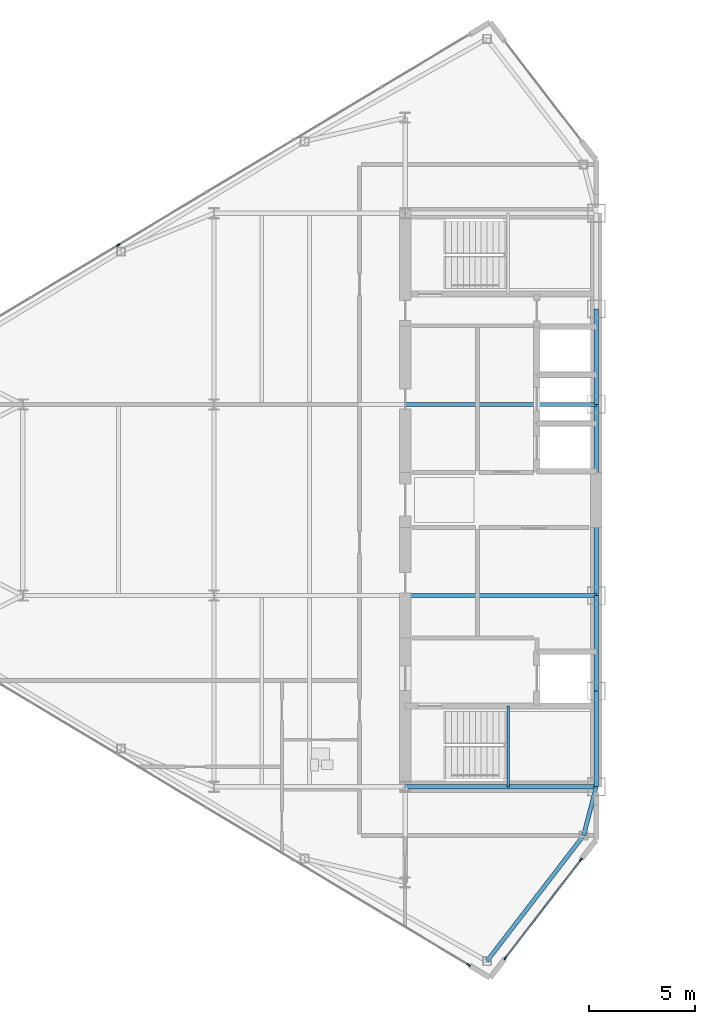
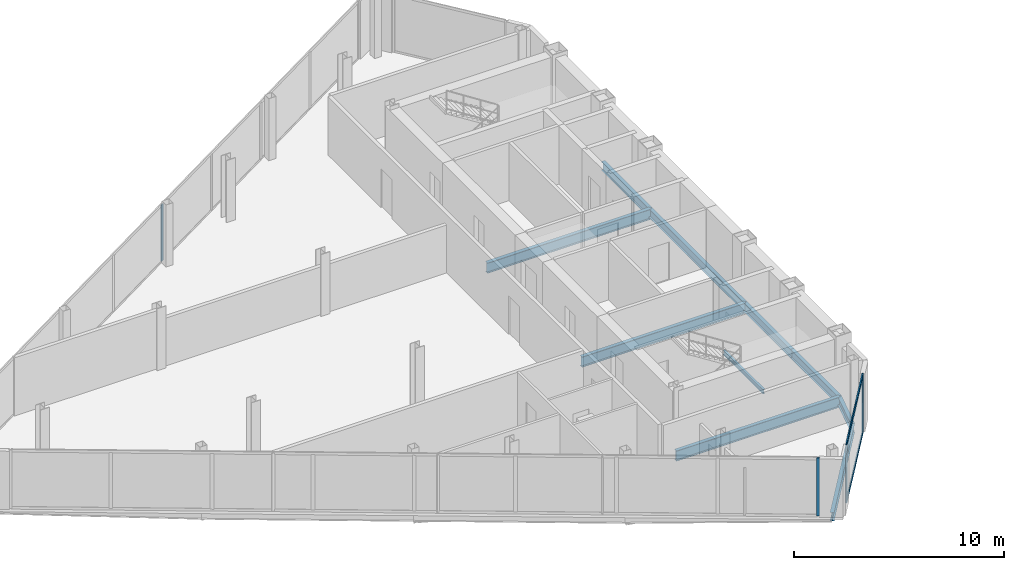
# One storey, part 8 of 25: 10 beams, 6 members, 3 elements without a shape of their own.
"""IFC4 building model written with IfcOpenShell, lengths in metres."""

from ifc_helpers import new_model, si_unit, direction, frame, origin, origin_2d, place, context, subcontext, project, spatial, rectangle, i_section, extrude, source, transform, mapped, material, layer, layer_set, material_profile, profile_set, type_object, type_shapes, element, aggregate, save


model = new_model("IFC4")

# Units and contexts
model_context = context("Model", 3, precision=1e-05, world=origin(), true_north=direction((0.0, 1.0)))
body_context = subcontext(model_context, "Body", "Model", "MODEL_VIEW")
ifc_project = project(units=[si_unit("LENGTHUNIT", "METRE"), si_unit("AREAUNIT", "SQUARE_METRE"), si_unit("VOLUMEUNIT", "CUBIC_METRE"), si_unit("PLANEANGLEUNIT", "RADIAN"), si_unit("MASSUNIT", "GRAM", prefix="KILO")], contexts=[model_context])

# Site, building, storey
site_placement = place(None, origin())
site = spatial("IfcSite", under=ifc_project, at=site_placement, CompositionType="ELEMENT")
building_placement = place(site_placement, origin())
building = spatial("IfcBuilding", under=site, at=building_placement, Name="Seokmaru Belvedere", CompositionType="ELEMENT")
storey_placement = place(building_placement, frame((0.0, 0.0, 203.10009765625)))
storey = spatial("IfcBuildingStorey", under=building, at=storey_placement, Name="L54", CompositionType="ELEMENT", Elevation=203.10009765625)

# Beams
ifc_material_1 = material(Name="Steel SM355 (355 MPa)", Category="steel")
ifc_material_profile_1 = material_profile(ifc_material_1, i_section(OverallWidth=0.199951171875, OverallDepth=0.5, WebThickness=0.010009765625, FlangeThickness=0.01611328125, at=origin_2d()), Name="H-500x200x10x16")
ifc_profile_set_1 = profile_set([ifc_material_profile_1], Name="Steel SM355 (355 MPa)")
beam_type_1 = type_object("IfcBeamType", Name="Perimeter Spandrel Beam H-500", PredefinedType="SPANDREL", material=ifc_profile_set_1)
shared_shape_1 = source(origin(), body_context, "Body", "SweptSolid", [
    extrude(i_section(OverallWidth=0.199951171875, OverallDepth=0.5, WebThickness=0.010009765625, FlangeThickness=0.01611328125, at=origin_2d()), origin(), (0.0, 0.0, 1.0), 4.5),
])
for number, where, z_axis, x_axis, name in (
    (1, (-27.5, -13.5, -0.47021484375), (0.0, 1.0, 0.0), (-1.0, 0.0, 0.0), "L54 W Portal Spine Spandrel 1"),
    (2, (-27.5, -9.0, -0.47021484375), (0.0, 1.0, 0.0), (-1.0, 0.0, 0.0), "L54 W Portal Spine Spandrel 2"),
    (3, (-27.5, 4.5, -0.47021484375), (0.0, 1.0, 0.0), (-1.0, 0.0, 0.0), "L54 W Portal Spine Spandrel 4"),
):
    element("IfcBeam", number, at=place(storey_placement, frame(where, z_axis=z_axis, x_axis=x_axis)), inside=storey, type_object=beam_type_1, Name=name, PredefinedType="SPANDREL", context=body_context, shape_type="MappedRepresentation", body=[
        mapped(shared_shape_1, transform((0.0, 0.0, 0.0), scale=1.0)),
    ])
shared_shape_2 = source(origin(), body_context, "Body", "SweptSolid", [
    extrude(i_section(OverallWidth=0.199951171875, OverallDepth=0.5, WebThickness=0.010009765625, FlangeThickness=0.01611328125, at=origin_2d()), origin(), (0.0, 0.0, 1.0), 9.0),
])
beam_1_placement = place(storey_placement, frame((-27.5, -4.5, -0.47021484375), z_axis=(0.0, 1.0, 0.0), x_axis=(-1.0, 0.0, 0.0)))
element("IfcBeam", 4, at=beam_1_placement, inside=storey, type_object=beam_type_1, Name="L54 W Portal Spine Spandrel 3", PredefinedType="SPANDREL", context=body_context, shape_type="MappedRepresentation", body=[
    mapped(shared_shape_2, transform((0.0, 0.0, 0.0), scale=1.0)),
])
ifc_material_profile_2 = material_profile(ifc_material_1, i_section(OverallWidth=0.199951171875, OverallDepth=0.60009765625, WebThickness=0.010986328125, FlangeThickness=0.01708984375, at=origin_2d()), Name="H-600x200x11x17")
ifc_profile_set_2 = profile_set([ifc_material_profile_2], Name="Steel SM355 (355 MPa)")
beam_type_2 = type_object("IfcBeamType", Name="Primary Floor Girder H-600", PredefinedType="BEAM", material=ifc_profile_set_2)
shared_shape_3 = source(origin(), body_context, "Body", "SweptSolid", [
    extrude(i_section(OverallWidth=0.199951171875, OverallDepth=0.60009765625, WebThickness=0.010986328125, FlangeThickness=0.01708984375, at=origin_2d()), origin(), (0.0, 0.0, 1.0), 9.0),
])
type_shapes(beam_type_2, [shared_shape_3])
for number, where, z_axis, x_axis, name in (
    (5, (-36.5, -13.5, -0.52001953125), (1.0, 0.0, 0.0), (0.0, 1.0, 0.0), "L54 W Core Tie Girder 1"),
    (6, (-36.5, -4.5, -0.52001953125), (1.0, 0.0, 0.0), (0.0, 1.0, 0.0), "L54 W Core Tie Girder 2"),
    (7, (-36.5, 4.5, -0.52001953125), (1.0, 0.0, 0.0), (0.0, 1.0, 0.0), "L54 W Core Tie Girder 3"),
):
    element("IfcBeam", number, at=place(storey_placement, frame(where, z_axis=z_axis, x_axis=x_axis)), inside=storey, type_object=beam_type_2, Name=name, PredefinedType="BEAM", context=body_context, shape_type="MappedRepresentation", body=[
        mapped(shared_shape_3, transform((0.0, 0.0, 0.0), scale=1.0)),
    ])
shared_shape_4 = source(origin(), body_context, "Body", "SweptSolid", [
    extrude(i_section(OverallWidth=0.199951171875, OverallDepth=0.5, WebThickness=0.010009765625, FlangeThickness=0.01611328125, at=origin_2d()), origin(), (0.0, 0.0, 1.0), 7.4619140625),
])
beam_2_placement = place(storey_placement, frame((-32.649658203125, -21.71044921875, -0.47021484375), z_axis=(0.609702854945, 0.792630070507, 0.0), x_axis=(-0.792630070507, 0.609702854945, 0.0)))
element("IfcBeam", 8, at=beam_2_placement, inside=storey, type_object=beam_type_1, Name="L54 W Shoulder Chamfer Spandrel S", PredefinedType="SPANDREL", context=body_context, shape_type="MappedRepresentation", body=[
    mapped(shared_shape_4, transform((0.0, 0.0, 0.0), scale=1.0)),
])
shared_shape_5 = source(origin(), body_context, "Body", "SweptSolid", [
    extrude(i_section(OverallWidth=0.199951171875, OverallDepth=0.5, WebThickness=0.010009765625, FlangeThickness=0.01611328125, at=origin_2d()), origin(), (0.0, 0.0, 1.0), 2.373046875),
])
type_shapes(beam_type_1, [shared_shape_1, shared_shape_2, shared_shape_4, shared_shape_5])
beam_3_placement = place(storey_placement, frame((-28.10009765625, -15.7958984375, -0.47021484375), z_axis=(0.252882558842, 0.967496982648, 0.0), x_axis=(-0.967496982648, 0.252882558842, 0.0)))
element("IfcBeam", 9, at=beam_3_placement, inside=storey, type_object=beam_type_1, Name="L54 W Shoulder Spine Spandrel S", PredefinedType="SPANDREL", context=body_context, shape_type="MappedRepresentation", body=[
    mapped(shared_shape_5, transform((0.0, 0.0, 0.0), scale=1.0)),
])

# Curtain wall, member
ifc_material_2 = material(Name="Bronze Triple Insulating Glass", Category="glass")
ifc_layer = layer(ifc_material_2, 0.179931640625)
ifc_layer_set = layer_set([ifc_layer], Name="Bronze Triple Insulating Glass")
curtain_wall_type = type_object("IfcCurtainWallType", Name="High-Rise Wind-Corner Curtain Wall System CW-5", PredefinedType="NOTDEFINED", material=ifc_layer_set)
curtain_wall_1_placement = place(storey_placement, origin())
curtain_wall_1 = element("IfcCurtainWall", 10, at=curtain_wall_1_placement, inside=storey, type_object=curtain_wall_type, Name="L54 Curtain Wall WF5", PredefinedType="NOTDEFINED")
ifc_material_3 = material(Name="Anodised Bronze Aluminium", Category="aluminium")
ifc_material_profile_3 = material_profile(ifc_material_3, rectangle(XDim=0.06494140625, YDim=0.179931640625, at=origin_2d()), Name="CW-M-65x180")
ifc_profile_set_3 = profile_set([ifc_material_profile_3], Name="Anodised Bronze Aluminium")
member_type_1 = type_object("IfcMemberType", Name="Bronze Unitised Mullion 65x180", PredefinedType="MULLION", material=ifc_profile_set_3)
shared_shape_6 = source(origin(), body_context, "Body", "SweptSolid", [
    extrude(rectangle(XDim=0.06494140625, YDim=0.179931640625, at=origin_2d()), origin(), (0.0, 0.0, 1.0), 3.3798828125),
])
member_1_placement = place(storey_placement, frame((-33.513916015625, -21.8916015625, 0.0), z_axis=(0.0, 0.0, 1.0), x_axis=(0.514494909364, 0.85749343335, 0.0)))
member_1 = element("IfcMember", 11, at=member_1_placement, type_object=member_type_1, Name="CW:L54:WF5 Mullion 9", PredefinedType="MULLION", context=body_context, shape_type="MappedRepresentation", body=[
    mapped(shared_shape_6, transform((0.0, 0.0, 0.0), scale=1.0)),
])
aggregate(curtain_wall_1, [member_1])

# Curtain wall, members
curtain_wall_2_placement = place(storey_placement, origin())
curtain_wall_2 = element("IfcCurtainWall", 12, at=curtain_wall_2_placement, inside=storey, type_object=curtain_wall_type, Name="L54 Curtain Wall WF6", PredefinedType="NOTDEFINED")
member_2_placement = place(storey_placement, frame((-31.779052734375, -21.562744140625, 0.0), z_axis=(0.0, 0.0, 1.0), x_axis=(-0.792631353244, 0.609701187349, 0.0)))
member_2 = element("IfcMember", 13, at=member_2_placement, type_object=member_type_1, Name="CW:L54:WF6 Mullion 1", PredefinedType="MULLION", context=body_context, shape_type="MappedRepresentation", body=[
    mapped(shared_shape_6, transform((0.0, 0.0, 0.0), scale=1.0)),
])
member_3_placement = place(storey_placement, frame((-28.220947265625, -16.937255859375, 0.0), z_axis=(0.0, 0.0, 1.0), x_axis=(-0.792631353244, 0.609701187349, 0.0)))
member_3 = element("IfcMember", 14, at=member_3_placement, type_object=member_type_1, Name="CW:L54:WF6 Mullion 2", PredefinedType="MULLION", context=body_context, shape_type="MappedRepresentation", body=[
    mapped(shared_shape_6, transform((0.0, 0.0, 0.0), scale=1.0)),
])

# Curtain wall, member
curtain_wall_3_placement = place(storey_placement, origin())
curtain_wall_3 = element("IfcCurtainWall", 15, at=curtain_wall_3_placement, inside=storey, type_object=curtain_wall_type, Name="L54 Curtain Wall WF3", PredefinedType="NOTDEFINED")
shared_shape_7 = source(origin(), body_context, "Body", "SweptSolid", [
    extrude(rectangle(XDim=0.06494140625, YDim=0.179931640625, at=origin_2d()), origin(), (0.0, 0.0, 1.0), 3.25),
])
type_shapes(member_type_1, [shared_shape_6, shared_shape_7])
member_4_placement = place(storey_placement, frame((-50.0, 12.0, 0.06494140625), z_axis=(0.0, 0.0, 1.0), x_axis=(0.514494909364, -0.85749343335, 0.0)))
member_4 = element("IfcMember", 16, at=member_4_placement, type_object=member_type_1, Name="CW:L54:WF3 Mullion 5", PredefinedType="MULLION", context=body_context, shape_type="MappedRepresentation", body=[
    mapped(shared_shape_7, transform((0.0, 0.0, 0.0), scale=1.0)),
])
aggregate(curtain_wall_3, [member_4])

# Member
ifc_material_profile_4 = material_profile(ifc_material_3, rectangle(XDim=0.06494140625, YDim=0.14990234375, at=origin_2d()), Name="CW-T-65x150")
ifc_profile_set_4 = profile_set([ifc_material_profile_4], Name="Anodised Bronze Aluminium")
member_type_2 = type_object("IfcMemberType", Name="Bronze Unitised Transom 65x150", PredefinedType="USERDEFINED", material=ifc_profile_set_4)
shared_shape_8 = source(origin(), body_context, "Body", "SweptSolid", [
    extrude(rectangle(XDim=0.06494140625, YDim=0.14990234375, at=origin_2d()), origin(), (0.0, 0.0, 1.0), 5.77099609375),
])
type_shapes(member_type_2, [shared_shape_8])
member_5_placement = place(storey_placement, frame((-31.75927734375, -21.537109375, 0.032470703125), z_axis=(0.60970258286, 0.792630279799, 0.0), x_axis=(-0.792630279799, 0.60970258286, 0.0)))
member_5 = element("IfcMember", 17, at=member_5_placement, type_object=member_type_2, Name="CW:L54:WF6 Continuous Transom 1", ObjectType="TRANSOM", PredefinedType="USERDEFINED", context=body_context, shape_type="MappedRepresentation", body=[
    mapped(shared_shape_8, transform((0.0, 0.0, 0.0), scale=1.0)),
])

member_6_placement = place(storey_placement, frame((-31.75927734375, -21.537109375, 3.347412109375), z_axis=(0.60970258286, 0.792630279799, 0.0), x_axis=(-0.792630279799, 0.60970258286, 0.0)))
member_6 = element("IfcMember", 18, at=member_6_placement, type_object=member_type_2, Name="CW:L54:WF6 Continuous Transom 2", ObjectType="TRANSOM", PredefinedType="USERDEFINED", context=body_context, shape_type="MappedRepresentation", body=[
    mapped(shared_shape_8, transform((0.0, 0.0, 0.0), scale=1.0)),
])

aggregate(curtain_wall_2, [member_2, member_3, member_5, member_6])

# Beam
ifc_material_profile_5 = material_profile(ifc_material_1, i_section(OverallWidth=0.125, OverallDepth=0.25, WebThickness=0.006103515625, FlangeThickness=0.009033203125, at=origin_2d()), Name="H-250x125x6x9")
ifc_profile_set_5 = profile_set([ifc_material_profile_5], Name="Steel SM355 (355 MPa)")
beam_type_3 = type_object("IfcBeamType", Name="Stair Mid-Landing Support Beam H-250", PredefinedType="JOIST", material=ifc_profile_set_5)
shared_shape_9 = source(origin(), body_context, "Body", "SweptSolid", [
    extrude(i_section(OverallWidth=0.125, OverallDepth=0.25, WebThickness=0.006103515625, FlangeThickness=0.009033203125, at=origin_2d()), origin(), (0.0, 0.0, 1.0), 3.800048828125),
])
type_shapes(beam_type_3, [shared_shape_9])
beam_4_placement = place(storey_placement, frame((-31.64990234375, -13.5, 1.474853515625), z_axis=(0.0, 1.0, 0.0), x_axis=(-1.0, 0.0, 0.0)))
element("IfcBeam", 19, at=beam_4_placement, inside=storey, type_object=beam_type_3, Name="L54 Stair ST-W1 Mid-Landing Support Beam 1", PredefinedType="JOIST", context=body_context, shape_type="MappedRepresentation", body=[
    mapped(shared_shape_9, transform((0.0, 0.0, 0.0), scale=1.0)),
])

save(model, "model.ifc")
